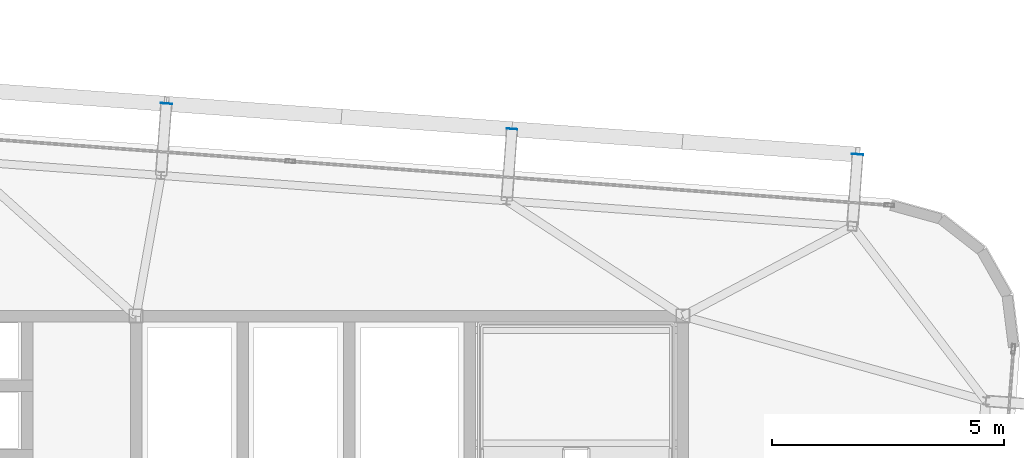
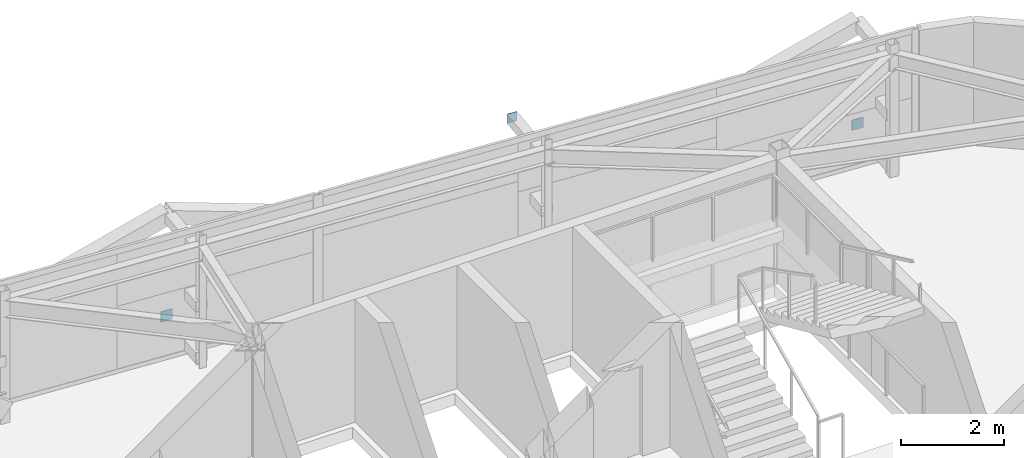
# One storey, part 30 of 35: 3 plates.
"""IFC4 building model written with IfcOpenShell, lengths in metres."""

from ifc_helpers import new_model, si_unit, direction, frame, origin, origin_2d, place, context, subcontext, project, spatial, rectangle, extrude, source, transform, mapped, material, layer, layer_set, type_object, element, save


model = new_model("IFC4")

# Units and contexts
model_context = context("Model", 3, precision=1e-05, world=origin(), true_north=direction((0.0, 1.0)))
body_context = subcontext(model_context, "Body", "Model", "MODEL_VIEW")
ifc_project = project(units=[si_unit("LENGTHUNIT", "METRE"), si_unit("AREAUNIT", "SQUARE_METRE"), si_unit("VOLUMEUNIT", "CUBIC_METRE"), si_unit("PLANEANGLEUNIT", "RADIAN"), si_unit("MASSUNIT", "GRAM", prefix="KILO")], contexts=[model_context])

# Site, building, storey
site_placement = place(None, origin())
site = spatial("IfcSite", under=ifc_project, at=site_placement, CompositionType="ELEMENT")
building_placement = place(site_placement, origin())
building = spatial("IfcBuilding", under=site, at=building_placement, Name="Taldren Reach Tower", CompositionType="ELEMENT")
storey_placement = place(building_placement, frame((0.0, 0.0, 236.60009765625)))
storey = spatial("IfcBuildingStorey", under=building, at=storey_placement, Name="L72", CompositionType="ELEMENT", Elevation=236.60009765625)

# Plates
ifc_material_1 = material(Name="Steel Gr 350 (C350L0)", Category="steel")
ifc_layer_1 = layer(ifc_material_1, 0.011962890625)
ifc_layer_set_1 = layer_set([ifc_layer_1], Name="Steel Gr 350 (C350L0)")
plate_type_1 = type_object("IfcPlateType", Name="PL-CAP-250", PredefinedType="SHEET", material=ifc_layer_set_1)
shared_shape_1 = source(origin(), body_context, "Body", "SweptSolid", [
    extrude(rectangle(XDim=0.25, YDim=0.011962890625, at=origin_2d()), origin(), (0.0, 0.0, 1.0), 0.25),
])
for number, where, z_axis, x_axis, name in (
    (1, (39.853515625, 36.587158203125, 0.094970703125), (0.0, 0.0, 1.0), (0.997314477224, -0.073238197128, 0.0), "Tie strut end cap plate B5-N4 L72"),
    (2, (54.773193359375, 35.49169921875, 0.094970703125), (0.0, 0.0, 1.0), (0.997314477224, -0.073238197128, 0.0), "Tie strut end cap plate B5-N6 L72"),
):
    element("IfcPlate", number, at=place(storey_placement, frame(where, z_axis=z_axis, x_axis=x_axis)), inside=storey, type_object=plate_type_1, Name=name, PredefinedType="SHEET", context=body_context, shape_type="MappedRepresentation", body=[
        mapped(shared_shape_1, transform((0.0, 0.0, 0.0), scale=1.0)),
    ])
ifc_material_2 = material(Name="Steel Gr 450 (C450L0)", Category="steel")
ifc_layer_2 = layer(ifc_material_2, 0.011962890625)
ifc_layer_set_2 = layer_set([ifc_layer_2], Name="Steel Gr 450 (C450L0)")
plate_type_2 = type_object("IfcPlateType", Name="PL-CAP-220", PredefinedType="SHEET", material=ifc_layer_set_2)
shared_shape_2 = source(origin(), body_context, "Body", "SweptSolid", [
    extrude(rectangle(XDim=0.219970703125, YDim=0.011962890625, at=origin_2d()), origin(), (0.0, 0.0, 1.0), 0.219970703125),
])
plate_placement = place(storey_placement, frame((47.3134765625, 36.039306640625, 2.5400390625), z_axis=(0.0, 0.0, 1.0), x_axis=(0.997314477224, -0.073238197128, 0.0)))
element("IfcPlate", 3, at=plate_placement, inside=storey, type_object=plate_type_2, Name="Tie strut end cap plate B5-N5 L72", PredefinedType="SHEET", context=body_context, shape_type="MappedRepresentation", body=[
    mapped(shared_shape_2, transform((0.0, 0.0, 0.0), scale=1.0)),
])

save(model, "model.ifc")
